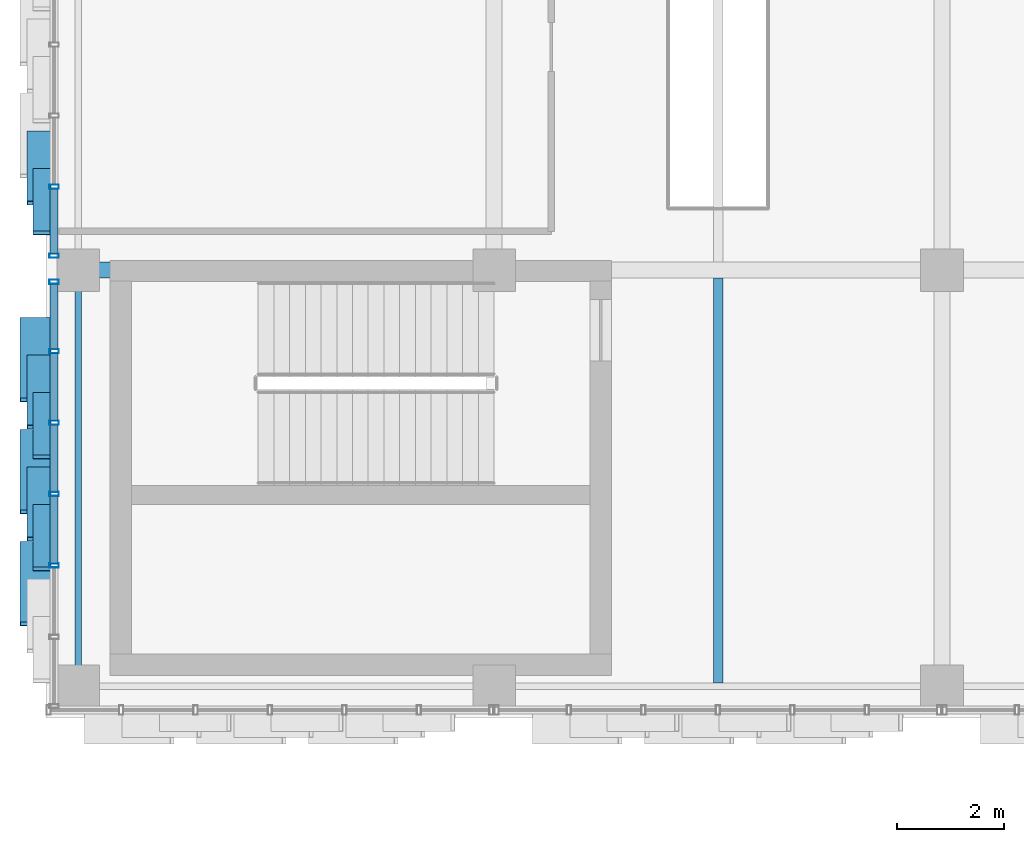
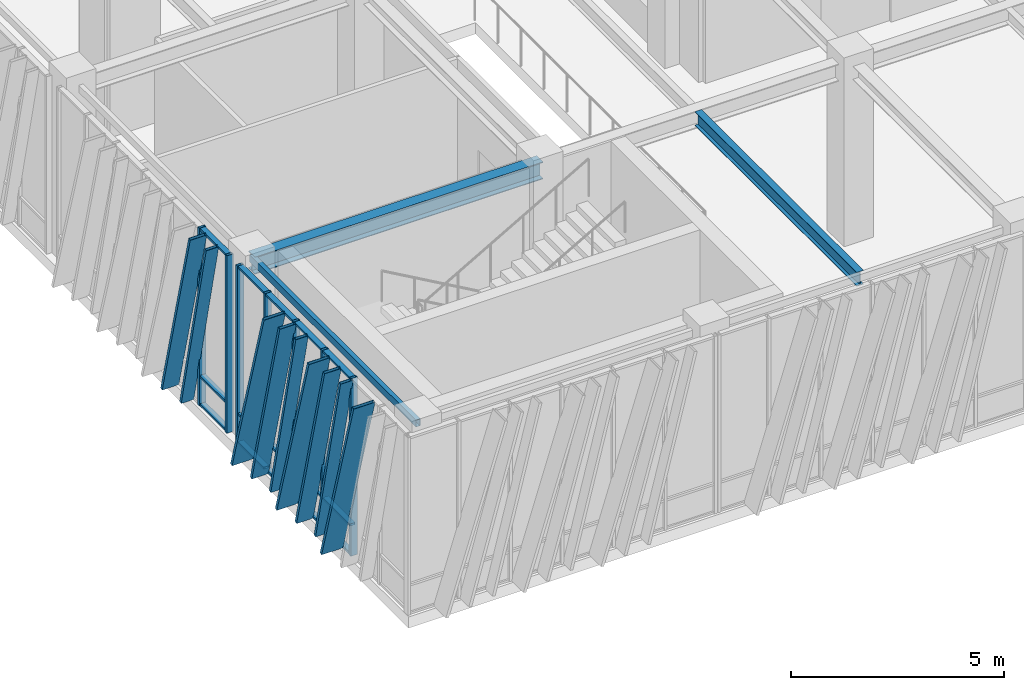
# One storey, part 36 of 139: 31 members, 3 beams, 2 elements without a shape of their own.
"""IFC4 building model written with IfcOpenShell, lengths in metres."""

from ifc_helpers import new_model, si_unit, direction, frame, origin, origin_2d, place, context, subcontext, project, spatial, hollow_rectangle, i_section, extrude, material, layer, layer_set, material_profile, profile_set, type_object, element, aggregate, save


model = new_model("IFC4")

# Units and contexts
model_context = context("Model", 3, precision=1e-05, world=origin(), true_north=direction((0.0, 1.0)))
body_context = subcontext(model_context, "Body", "Model", "MODEL_VIEW")
ifc_project = project(units=[si_unit("LENGTHUNIT", "METRE"), si_unit("AREAUNIT", "SQUARE_METRE"), si_unit("VOLUMEUNIT", "CUBIC_METRE"), si_unit("PLANEANGLEUNIT", "RADIAN"), si_unit("MASSUNIT", "GRAM", prefix="KILO")], contexts=[model_context])

# Site, building, storey
site_placement = place(None, origin())
site = spatial("IfcSite", under=ifc_project, at=site_placement, CompositionType="ELEMENT")
building_placement = place(site_placement, origin())
building = spatial("IfcBuilding", under=site, at=building_placement, Name="Zayran Congress Hotel", CompositionType="ELEMENT")
storey_placement = place(building_placement, frame((0.0, 0.0, 5.39990234375)))
storey = spatial("IfcBuildingStorey", under=building, at=storey_placement, Name="L01", CompositionType="ELEMENT", Elevation=5.39990234375)

# Beams
ifc_material_1 = material(Name="Steel S355", Category="steel")
ifc_material_profile_1 = material_profile(ifc_material_1, i_section(OverallWidth=0.300048828125, OverallDepth=0.489990234375, WebThickness=0.011962890625, FlangeThickness=0.02294921875, at=origin_2d()), Name="HEA 500")
ifc_profile_set_1 = profile_set([ifc_material_profile_1], Name="Steel S355")
beam_type_1 = type_object("IfcBeamType", Name="TP-BM-05", PredefinedType="BEAM", material=ifc_profile_set_1)
beam_1_placement = place(storey_placement, frame((9.0, 76.0, 4.835205078125), z_axis=(1.0, 0.0, 0.0), x_axis=(0.0, 1.0, 0.0)))
element("IfcBeam", 1, at=beam_1_placement, inside=storey, type_object=beam_type_1, Name="BM-V1-L01-0523", PredefinedType="BEAM", context=body_context, shape_type="SweptSolid", body=[
    extrude(i_section(OverallWidth=0.300048828125, OverallDepth=0.489990234375, WebThickness=0.011962890625, FlangeThickness=0.02294921875, at=origin_2d()), origin(), (0.0, 0.0, 1.0), 7.800048828125),
])
ifc_material_profile_2 = material_profile(ifc_material_1, i_section(OverallWidth=0.179931640625, OverallDepth=0.39990234375, WebThickness=0.008544921875, FlangeThickness=0.013427734375, at=origin_2d()), Name="IPE 400")
ifc_profile_set_2 = profile_set([ifc_material_profile_2], Name="Steel S355")
beam_type_2 = type_object("IfcBeamType", Name="TP-JS-03", PredefinedType="JOIST", material=ifc_profile_set_2)
beam_2_placement = place(storey_placement, frame((21.0, 68.260009765625, 4.880126953125), z_axis=(0.0, 1.0, 0.0), x_axis=(-1.0, 0.0, 0.0)))
element("IfcBeam", 2, at=beam_2_placement, inside=storey, type_object=beam_type_2, Name="JST-V1-L01-0620", PredefinedType="JOIST", context=body_context, shape_type="SweptSolid", body=[
    extrude(i_section(OverallWidth=0.179931640625, OverallDepth=0.39990234375, WebThickness=0.008544921875, FlangeThickness=0.013427734375, at=origin_2d()), origin(), (0.0, 0.0, 1.0), 7.590087890625),
])
ifc_material_profile_3 = material_profile(ifc_material_1, hollow_rectangle(XDim=0.1201171875, YDim=0.199951171875, WallThickness=0.008056640625, at=origin_2d()), Name="RHS 200x120x8")
ifc_profile_set_3 = profile_set([ifc_material_profile_3], Name="Steel S355")
beam_type_3 = type_object("IfcBeamType", Name="TP-SP-02", PredefinedType="SPANDREL", material=ifc_profile_set_3)
beam_3_placement = place(storey_placement, frame((9.0, 68.199951171875, 4.97998046875), z_axis=(0.0, 1.0, 0.0), x_axis=(-1.0, 0.0, 0.0)))
element("IfcBeam", 3, at=beam_3_placement, inside=storey, type_object=beam_type_3, Name="BM-V1-L01-0571", PredefinedType="SPANDREL", context=body_context, shape_type="SweptSolid", body=[
    extrude(hollow_rectangle(XDim=0.1201171875, YDim=0.199951171875, WallThickness=0.008056640625, at=origin_2d()), origin(), (0.0, 0.0, 1.0), 7.800048828125),
])

# Curtain wall, members
ifc_material_2 = material(Name="Anodised aluminium and low-E insulated glass", Category="aluminium")
ifc_layer_1 = layer(ifc_material_2, 0.179931640625)
ifc_layer_set_1 = layer_set([ifc_layer_1], Name="Anodised aluminium and low-E insulated glass")
curtain_wall_type_1 = type_object("IfcCurtainWallType", Name="CW-V1W-L01-CW-31-8040-5080", PredefinedType="USERDEFINED", material=ifc_layer_set_1)
curtain_wall_1_placement = place(storey_placement, origin())
curtain_wall_1 = element("IfcCurtainWall", 4, at=curtain_wall_1_placement, inside=storey, type_object=curtain_wall_type_1, Name="CW-V1W-L01-0", ObjectType="CURTAIN WALL", PredefinedType="USERDEFINED")
ifc_material_3 = material(Name="Anodised aluminium framing", Category="aluminium")
ifc_material_profile_4 = material_profile(ifc_material_3, hollow_rectangle(XDim=0.080078125, YDim=0.179931640625, WallThickness=0.0048828125, at=origin_2d()), Name="RHS 180x80x5")
ifc_profile_set_4 = profile_set([ifc_material_profile_4], Name="Anodised aluminium framing")
member_type_1 = type_object("IfcMemberType", Name="TP-CWM-01", PredefinedType="MULLION", material=ifc_profile_set_4)
member_1_placement = place(storey_placement, frame((8.550048828125, 75.780029296875, 0.0), z_axis=(0.0, 0.0, 1.0), x_axis=(0.0, 1.0, 0.0)))
member_1 = element("IfcMember", 5, at=member_1_placement, type_object=member_type_1, Name="CW-V1W-L01-0-M00", PredefinedType="MULLION", context=body_context, shape_type="SweptSolid", body=[
    extrude(hollow_rectangle(XDim=0.080078125, YDim=0.179931640625, WallThickness=0.0048828125, at=origin_2d()), origin(), (0.0, 0.0, 1.0), 5.080078125),
])
member_2_placement = place(storey_placement, frame((8.550048828125, 74.47998046875, 0.0), z_axis=(0.0, 0.0, 1.0), x_axis=(0.0, 1.0, 0.0)))
member_2 = element("IfcMember", 6, at=member_2_placement, type_object=member_type_1, Name="CW-V1W-L01-0-M01", PredefinedType="MULLION", context=body_context, shape_type="SweptSolid", body=[
    extrude(hollow_rectangle(XDim=0.080078125, YDim=0.179931640625, WallThickness=0.0048828125, at=origin_2d()), origin(), (0.0, 0.0, 1.0), 5.080078125),
])
member_3_placement = place(storey_placement, frame((8.550048828125, 73.139892578125, 0.0), z_axis=(0.0, 0.0, 1.0), x_axis=(0.0, 1.0, 0.0)))
member_3 = element("IfcMember", 7, at=member_3_placement, type_object=member_type_1, Name="CW-V1W-L01-0-M02", PredefinedType="MULLION", context=body_context, shape_type="SweptSolid", body=[
    extrude(hollow_rectangle(XDim=0.080078125, YDim=0.179931640625, WallThickness=0.0048828125, at=origin_2d()), origin(), (0.0, 0.0, 1.0), 5.080078125),
])
member_4_placement = place(storey_placement, frame((8.550048828125, 71.800048828125, 0.0), z_axis=(0.0, 0.0, 1.0), x_axis=(0.0, 1.0, 0.0)))
member_4 = element("IfcMember", 8, at=member_4_placement, type_object=member_type_1, Name="CW-V1W-L01-0-M03", PredefinedType="MULLION", context=body_context, shape_type="SweptSolid", body=[
    extrude(hollow_rectangle(XDim=0.080078125, YDim=0.179931640625, WallThickness=0.0048828125, at=origin_2d()), origin(), (0.0, 0.0, 1.0), 5.080078125),
])
member_5_placement = place(storey_placement, frame((8.550048828125, 70.4599609375, 0.0), z_axis=(0.0, 0.0, 1.0), x_axis=(0.0, 1.0, 0.0)))
member_5 = element("IfcMember", 9, at=member_5_placement, type_object=member_type_1, Name="CW-V1W-L01-0-M04", PredefinedType="MULLION", context=body_context, shape_type="SweptSolid", body=[
    extrude(hollow_rectangle(XDim=0.080078125, YDim=0.179931640625, WallThickness=0.0048828125, at=origin_2d()), origin(), (0.0, 0.0, 1.0), 5.080078125),
])

ifc_layer_2 = layer(ifc_material_2, 0.179931640625)
ifc_layer_set_2 = layer_set([ifc_layer_2], Name="Anodised aluminium and low-E insulated glass")
curtain_wall_type_2 = type_object("IfcCurtainWallType", Name="CW-V1W-L01-CW-32-7990-5080", PredefinedType="USERDEFINED", material=ifc_layer_set_2)
curtain_wall_2_placement = place(storey_placement, origin())
curtain_wall_2 = element("IfcCurtainWall", 10, at=curtain_wall_2_placement, inside=storey, type_object=curtain_wall_type_2, Name="CW-V1W-L01-1", ObjectType="CURTAIN WALL", PredefinedType="USERDEFINED")
member_6_placement = place(storey_placement, frame((8.550048828125, 77.561767578125, 0.0), z_axis=(0.0, 0.0, 1.0), x_axis=(0.0, 1.0, 0.0)))
member_6 = element("IfcMember", 11, at=member_6_placement, type_object=member_type_1, Name="CW-V1W-L01-1-M05", PredefinedType="MULLION", context=body_context, shape_type="SweptSolid", body=[
    extrude(hollow_rectangle(XDim=0.080078125, YDim=0.179931640625, WallThickness=0.0048828125, at=origin_2d()), origin(), (0.0, 0.0, 1.0), 5.080078125),
])
member_7_placement = place(storey_placement, frame((8.550048828125, 76.27001953125, 0.0), z_axis=(0.0, 0.0, 1.0), x_axis=(0.0, 1.0, 0.0)))
member_7 = element("IfcMember", 12, at=member_7_placement, type_object=member_type_1, Name="CW-V1W-L01-1-M06", PredefinedType="MULLION", context=body_context, shape_type="SweptSolid", body=[
    extrude(hollow_rectangle(XDim=0.080078125, YDim=0.179931640625, WallThickness=0.0048828125, at=origin_2d()), origin(), (0.0, 0.0, 1.0), 5.080078125),
])

# Member
ifc_material_profile_5 = material_profile(ifc_material_3, hollow_rectangle(XDim=0.06005859375, YDim=0.14990234375, WallThickness=0.00390625, at=origin_2d()), Name="RHS 150x60x4")
ifc_profile_set_5 = profile_set([ifc_material_profile_5], Name="Anodised aluminium framing")
member_type_2 = type_object("IfcMemberType", Name="TP-CWT-01", PredefinedType="USERDEFINED", material=ifc_profile_set_5)
member_8_placement = place(storey_placement, frame((8.550048828125, 75.739990234375, 0.030029296875), z_axis=(0.0, -1.0, 0.0), x_axis=(0.0, 0.0, 1.0)))
member_8 = element("IfcMember", 13, at=member_8_placement, type_object=member_type_2, Name="CW-V1W-L01-0-T00-0", ObjectType="TRANSOM", PredefinedType="USERDEFINED", context=body_context, shape_type="SweptSolid", body=[
    extrude(hollow_rectangle(XDim=0.06005859375, YDim=0.14990234375, WallThickness=0.00390625, at=origin_2d()), origin(), (0.0, 0.0, 1.0), 1.219970703125),
])

member_9_placement = place(storey_placement, frame((8.550048828125, 75.739990234375, 0.840087890625), z_axis=(0.0, -1.0, 0.0), x_axis=(0.0, 0.0, 1.0)))
member_9 = element("IfcMember", 14, at=member_9_placement, type_object=member_type_2, Name="CW-V1W-L01-0-T00-1", ObjectType="TRANSOM", PredefinedType="USERDEFINED", context=body_context, shape_type="SweptSolid", body=[
    extrude(hollow_rectangle(XDim=0.06005859375, YDim=0.14990234375, WallThickness=0.00390625, at=origin_2d()), origin(), (0.0, 0.0, 1.0), 1.219970703125),
])

member_10_placement = place(storey_placement, frame((8.550048828125, 75.739990234375, 5.050048828125), z_axis=(0.0, -1.0, 0.0), x_axis=(0.0, 0.0, 1.0)))
member_10 = element("IfcMember", 15, at=member_10_placement, type_object=member_type_2, Name="CW-V1W-L01-0-T00-2", ObjectType="TRANSOM", PredefinedType="USERDEFINED", context=body_context, shape_type="SweptSolid", body=[
    extrude(hollow_rectangle(XDim=0.06005859375, YDim=0.14990234375, WallThickness=0.00390625, at=origin_2d()), origin(), (0.0, 0.0, 1.0), 1.219970703125),
])

member_11_placement = place(storey_placement, frame((8.550048828125, 74.43994140625, 0.030029296875), z_axis=(0.0, -1.0, 0.0), x_axis=(0.0, 0.0, 1.0)))
member_11 = element("IfcMember", 16, at=member_11_placement, type_object=member_type_2, Name="CW-V1W-L01-0-T01-0", ObjectType="TRANSOM", PredefinedType="USERDEFINED", context=body_context, shape_type="SweptSolid", body=[
    extrude(hollow_rectangle(XDim=0.06005859375, YDim=0.14990234375, WallThickness=0.00390625, at=origin_2d()), origin(), (0.0, 0.0, 1.0), 1.260009765625),
])

member_12_placement = place(storey_placement, frame((8.550048828125, 74.43994140625, 0.840087890625), z_axis=(0.0, -1.0, 0.0), x_axis=(0.0, 0.0, 1.0)))
member_12 = element("IfcMember", 17, at=member_12_placement, type_object=member_type_2, Name="CW-V1W-L01-0-T01-1", ObjectType="TRANSOM", PredefinedType="USERDEFINED", context=body_context, shape_type="SweptSolid", body=[
    extrude(hollow_rectangle(XDim=0.06005859375, YDim=0.14990234375, WallThickness=0.00390625, at=origin_2d()), origin(), (0.0, 0.0, 1.0), 1.260009765625),
])

member_13_placement = place(storey_placement, frame((8.550048828125, 74.43994140625, 5.050048828125), z_axis=(0.0, -1.0, 0.0), x_axis=(0.0, 0.0, 1.0)))
member_13 = element("IfcMember", 18, at=member_13_placement, type_object=member_type_2, Name="CW-V1W-L01-0-T01-2", ObjectType="TRANSOM", PredefinedType="USERDEFINED", context=body_context, shape_type="SweptSolid", body=[
    extrude(hollow_rectangle(XDim=0.06005859375, YDim=0.14990234375, WallThickness=0.00390625, at=origin_2d()), origin(), (0.0, 0.0, 1.0), 1.260009765625),
])

member_14_placement = place(storey_placement, frame((8.550048828125, 73.10009765625, 0.030029296875), z_axis=(0.0, -1.0, 0.0), x_axis=(0.0, 0.0, 1.0)))
member_14 = element("IfcMember", 19, at=member_14_placement, type_object=member_type_2, Name="CW-V1W-L01-0-T02-0", ObjectType="TRANSOM", PredefinedType="USERDEFINED", context=body_context, shape_type="SweptSolid", body=[
    extrude(hollow_rectangle(XDim=0.06005859375, YDim=0.14990234375, WallThickness=0.00390625, at=origin_2d()), origin(), (0.0, 0.0, 1.0), 1.260009765625),
])

member_15_placement = place(storey_placement, frame((8.550048828125, 73.10009765625, 0.840087890625), z_axis=(0.0, -1.0, 0.0), x_axis=(0.0, 0.0, 1.0)))
member_15 = element("IfcMember", 20, at=member_15_placement, type_object=member_type_2, Name="CW-V1W-L01-0-T02-1", ObjectType="TRANSOM", PredefinedType="USERDEFINED", context=body_context, shape_type="SweptSolid", body=[
    extrude(hollow_rectangle(XDim=0.06005859375, YDim=0.14990234375, WallThickness=0.00390625, at=origin_2d()), origin(), (0.0, 0.0, 1.0), 1.260009765625),
])

member_16_placement = place(storey_placement, frame((8.550048828125, 73.10009765625, 5.050048828125), z_axis=(0.0, -1.0, 0.0), x_axis=(0.0, 0.0, 1.0)))
member_16 = element("IfcMember", 21, at=member_16_placement, type_object=member_type_2, Name="CW-V1W-L01-0-T02-2", ObjectType="TRANSOM", PredefinedType="USERDEFINED", context=body_context, shape_type="SweptSolid", body=[
    extrude(hollow_rectangle(XDim=0.06005859375, YDim=0.14990234375, WallThickness=0.00390625, at=origin_2d()), origin(), (0.0, 0.0, 1.0), 1.260009765625),
])

member_17_placement = place(storey_placement, frame((8.550048828125, 71.760009765625, 0.030029296875), z_axis=(0.0, -1.0, 0.0), x_axis=(0.0, 0.0, 1.0)))
member_17 = element("IfcMember", 22, at=member_17_placement, type_object=member_type_2, Name="CW-V1W-L01-0-T03-0", ObjectType="TRANSOM", PredefinedType="USERDEFINED", context=body_context, shape_type="SweptSolid", body=[
    extrude(hollow_rectangle(XDim=0.06005859375, YDim=0.14990234375, WallThickness=0.00390625, at=origin_2d()), origin(), (0.0, 0.0, 1.0), 1.260009765625),
])

member_18_placement = place(storey_placement, frame((8.550048828125, 71.760009765625, 0.840087890625), z_axis=(0.0, -1.0, 0.0), x_axis=(0.0, 0.0, 1.0)))
member_18 = element("IfcMember", 23, at=member_18_placement, type_object=member_type_2, Name="CW-V1W-L01-0-T03-1", ObjectType="TRANSOM", PredefinedType="USERDEFINED", context=body_context, shape_type="SweptSolid", body=[
    extrude(hollow_rectangle(XDim=0.06005859375, YDim=0.14990234375, WallThickness=0.00390625, at=origin_2d()), origin(), (0.0, 0.0, 1.0), 1.260009765625),
])

member_19_placement = place(storey_placement, frame((8.550048828125, 71.760009765625, 5.050048828125), z_axis=(0.0, -1.0, 0.0), x_axis=(0.0, 0.0, 1.0)))
member_19 = element("IfcMember", 24, at=member_19_placement, type_object=member_type_2, Name="CW-V1W-L01-0-T03-2", ObjectType="TRANSOM", PredefinedType="USERDEFINED", context=body_context, shape_type="SweptSolid", body=[
    extrude(hollow_rectangle(XDim=0.06005859375, YDim=0.14990234375, WallThickness=0.00390625, at=origin_2d()), origin(), (0.0, 0.0, 1.0), 1.260009765625),
])

member_20_placement = place(storey_placement, frame((8.550048828125, 77.521728515625, 0.030029296875), z_axis=(0.0, -1.0, 0.0), x_axis=(0.0, 0.0, 1.0)))
member_20 = element("IfcMember", 25, at=member_20_placement, type_object=member_type_2, Name="CW-V1W-L01-1-T05-0", ObjectType="TRANSOM", PredefinedType="USERDEFINED", context=body_context, shape_type="SweptSolid", body=[
    extrude(hollow_rectangle(XDim=0.06005859375, YDim=0.14990234375, WallThickness=0.00390625, at=origin_2d()), origin(), (0.0, 0.0, 1.0), 1.211669921875),
])

member_21_placement = place(storey_placement, frame((8.550048828125, 77.521728515625, 0.840087890625), z_axis=(0.0, -1.0, 0.0), x_axis=(0.0, 0.0, 1.0)))
member_21 = element("IfcMember", 26, at=member_21_placement, type_object=member_type_2, Name="CW-V1W-L01-1-T05-1", ObjectType="TRANSOM", PredefinedType="USERDEFINED", context=body_context, shape_type="SweptSolid", body=[
    extrude(hollow_rectangle(XDim=0.06005859375, YDim=0.14990234375, WallThickness=0.00390625, at=origin_2d()), origin(), (0.0, 0.0, 1.0), 1.211669921875),
])

member_22_placement = place(storey_placement, frame((8.550048828125, 77.521728515625, 5.050048828125), z_axis=(0.0, -1.0, 0.0), x_axis=(0.0, 0.0, 1.0)))
member_22 = element("IfcMember", 27, at=member_22_placement, type_object=member_type_2, Name="CW-V1W-L01-1-T05-2", ObjectType="TRANSOM", PredefinedType="USERDEFINED", context=body_context, shape_type="SweptSolid", body=[
    extrude(hollow_rectangle(XDim=0.06005859375, YDim=0.14990234375, WallThickness=0.00390625, at=origin_2d()), origin(), (0.0, 0.0, 1.0), 1.211669921875),
])

ifc_material_4 = material(Name="Warm bronze anodised aluminium", Category="aluminium")
ifc_material_profile_6 = material_profile(ifc_material_4, hollow_rectangle(XDim=0.080078125, YDim=0.580078125, WallThickness=0.006103515625, at=origin_2d()), Name="RHS 580x80x6")
ifc_profile_set_6 = profile_set([ifc_material_profile_6], Name="Warm bronze anodised aluminium")
member_type_3 = type_object("IfcMemberType", Name="TP-RFN-01", PredefinedType="MULLION", material=ifc_profile_set_6)
member_23_placement = place(storey_placement, frame((8.199951171875, 75.070068359375, 0.0), z_axis=(0.0, -0.284031848834, 0.958814845968), x_axis=(0.0, 0.958814845968, 0.284031848834)))
member_23 = element("IfcMember", 28, at=member_23_placement, type_object=member_type_3, Name="Slanting Reed Mullion CW-31-01", PredefinedType="MULLION", context=body_context, shape_type="SweptSolid", body=[
    extrude(hollow_rectangle(XDim=0.080078125, YDim=0.580078125, WallThickness=0.006103515625, at=origin_2d()), origin(), (0.0, 0.0, 1.0), 5.29833984375),
])

member_24_placement = place(storey_placement, frame((8.199951171875, 72.969970703125, 0.0), z_axis=(0.0, -0.284031848834, 0.958814845968), x_axis=(0.0, 0.958814845968, 0.284031848834)))
member_24 = element("IfcMember", 29, at=member_24_placement, type_object=member_type_3, Name="Slanting Reed Mullion CW-31-04", PredefinedType="MULLION", context=body_context, shape_type="SweptSolid", body=[
    extrude(hollow_rectangle(XDim=0.080078125, YDim=0.580078125, WallThickness=0.006103515625, at=origin_2d()), origin(), (0.0, 0.0, 1.0), 5.29833984375),
])

member_25_placement = place(storey_placement, frame((8.199951171875, 70.8701171875, 0.0), z_axis=(0.0, -0.284031848834, 0.958814845968), x_axis=(0.0, 0.958814845968, 0.284031848834)))
member_25 = element("IfcMember", 30, at=member_25_placement, type_object=member_type_3, Name="Slanting Reed Mullion CW-31-07", PredefinedType="MULLION", context=body_context, shape_type="SweptSolid", body=[
    extrude(hollow_rectangle(XDim=0.080078125, YDim=0.580078125, WallThickness=0.006103515625, at=origin_2d()), origin(), (0.0, 0.0, 1.0), 5.29833984375),
])

ifc_material_profile_7 = material_profile(ifc_material_4, hollow_rectangle(XDim=0.080078125, YDim=0.449951171875, WallThickness=0.006103515625, at=origin_2d()), Name="RHS 450x80x6")
ifc_profile_set_7 = profile_set([ifc_material_profile_7], Name="Warm bronze anodised aluminium")
member_type_4 = type_object("IfcMemberType", Name="TP-RFN-02", PredefinedType="MULLION", material=ifc_profile_set_7)
member_26_placement = place(storey_placement, frame((8.264892578125, 74.3701171875, 0.0), z_axis=(0.0, -0.25040989041, 0.968139910749), x_axis=(0.0, 0.968139910749, 0.25040989041)))
member_26 = element("IfcMember", 31, at=member_26_placement, type_object=member_type_4, Name="Slanting Reed Mullion CW-31-02", PredefinedType="MULLION", context=body_context, shape_type="SweptSolid", body=[
    extrude(hollow_rectangle(XDim=0.080078125, YDim=0.449951171875, WallThickness=0.006103515625, at=origin_2d()), origin(), (0.0, 0.0, 1.0), 5.247314453125),
])

member_27_placement = place(storey_placement, frame((8.264892578125, 72.27001953125, 0.0), z_axis=(0.0, -0.250366279854, 0.968151189594), x_axis=(0.0, 0.968151189594, 0.250366279854)))
member_27 = element("IfcMember", 32, at=member_27_placement, type_object=member_type_4, Name="Slanting Reed Mullion CW-31-05", PredefinedType="MULLION", context=body_context, shape_type="SweptSolid", body=[
    extrude(hollow_rectangle(XDim=0.080078125, YDim=0.449951171875, WallThickness=0.006103515625, at=origin_2d()), origin(), (0.0, 0.0, 1.0), 5.247314453125),
])

member_28_placement = place(storey_placement, frame((8.264892578125, 78.570068359375, 0.0), z_axis=(0.0, -0.25040989041, 0.968139910749), x_axis=(0.0, 0.968139910749, 0.25040989041)))
member_28 = element("IfcMember", 33, at=member_28_placement, type_object=member_type_4, Name="Slanting Reed Mullion CW-32-08", PredefinedType="MULLION", context=body_context, shape_type="SweptSolid", body=[
    extrude(hollow_rectangle(XDim=0.080078125, YDim=0.449951171875, WallThickness=0.006103515625, at=origin_2d()), origin(), (0.0, 0.0, 1.0), 5.247314453125),
])

ifc_material_profile_8 = material_profile(ifc_material_4, hollow_rectangle(XDim=0.080078125, YDim=0.340087890625, WallThickness=0.006103515625, at=origin_2d()), Name="RHS 340x80x6")
ifc_profile_set_8 = profile_set([ifc_material_profile_8], Name="Warm bronze anodised aluminium")
member_type_5 = type_object("IfcMemberType", Name="TP-RFN-03", PredefinedType="MULLION", material=ifc_profile_set_8)
member_29_placement = place(storey_placement, frame((8.320068359375, 73.669921875, 0.0), z_axis=(0.0, -0.224910805794, 0.97437935602), x_axis=(0.0, 0.97437935602, 0.224910805794)))
member_29 = element("IfcMember", 34, at=member_29_placement, type_object=member_type_5, Name="Slanting Reed Mullion CW-31-03", PredefinedType="MULLION", context=body_context, shape_type="SweptSolid", body=[
    extrude(hollow_rectangle(XDim=0.080078125, YDim=0.340087890625, WallThickness=0.006103515625, at=origin_2d()), origin(), (0.0, 0.0, 1.0), 5.213623046875),
])

member_30_placement = place(storey_placement, frame((8.320068359375, 71.570068359375, 0.0), z_axis=(0.0, -0.224955263497, 0.974369093016), x_axis=(0.0, 0.974369093016, 0.224955263497)))
member_30 = element("IfcMember", 35, at=member_30_placement, type_object=member_type_5, Name="Slanting Reed Mullion CW-31-06", PredefinedType="MULLION", context=body_context, shape_type="SweptSolid", body=[
    extrude(hollow_rectangle(XDim=0.080078125, YDim=0.340087890625, WallThickness=0.006103515625, at=origin_2d()), origin(), (0.0, 0.0, 1.0), 5.213623046875),
])

aggregate(curtain_wall_1, [member_1, member_2, member_3, member_4, member_5, member_8, member_9, member_10, member_11, member_12, member_13, member_14, member_15, member_16, member_17, member_18, member_19, member_23, member_26, member_29, member_24, member_27, member_30, member_25])

member_31_placement = place(storey_placement, frame((8.320068359375, 77.8701171875, 0.0), z_axis=(0.0, -0.224955263497, 0.974369093016), x_axis=(0.0, 0.974369093016, 0.224955263497)))
member_31 = element("IfcMember", 36, at=member_31_placement, type_object=member_type_5, Name="Slanting Reed Mullion CW-32-09", PredefinedType="MULLION", context=body_context, shape_type="SweptSolid", body=[
    extrude(hollow_rectangle(XDim=0.080078125, YDim=0.340087890625, WallThickness=0.006103515625, at=origin_2d()), origin(), (0.0, 0.0, 1.0), 5.213623046875),
])

aggregate(curtain_wall_2, [member_6, member_7, member_20, member_21, member_22, member_28, member_31])

save(model, "model.ifc")
